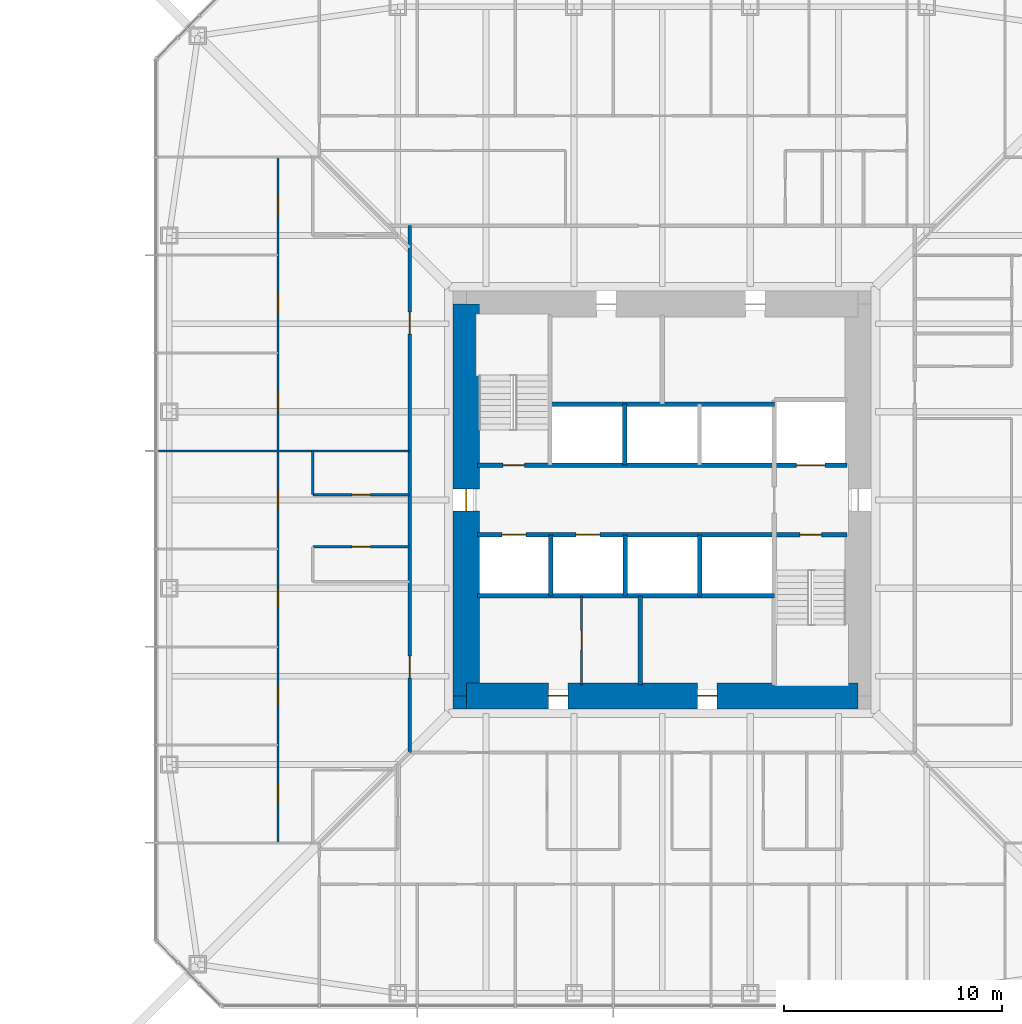
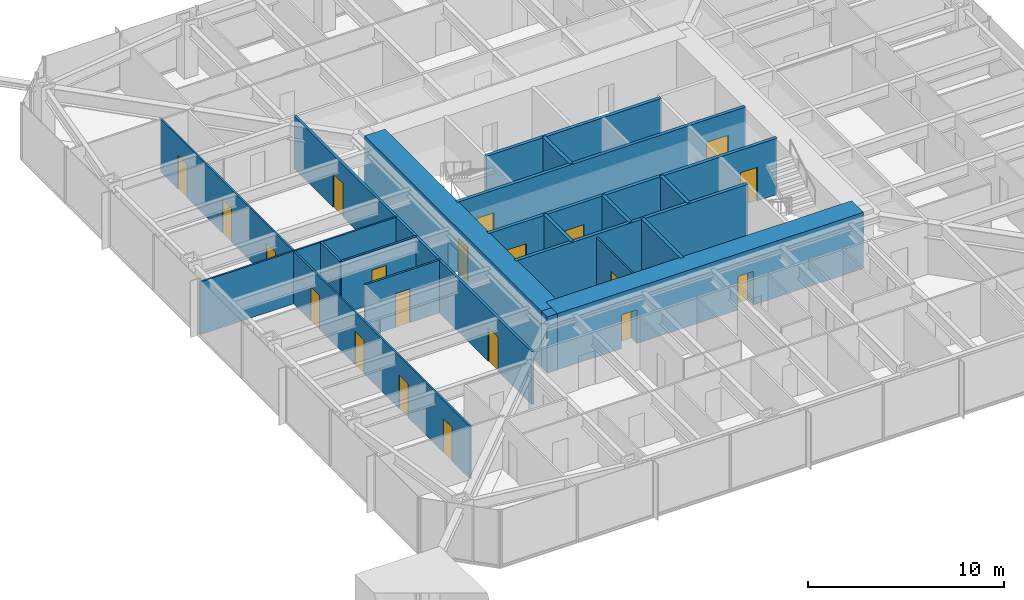
# One storey, part 15 of 26: 20 doors, 19 walls, 20 openings.
"""IFC4 building model written with IfcOpenShell, lengths in metres."""

from ifc_helpers import new_model, si_unit, direction, frame, frame_2d, origin, place, context, subcontext, project, spatial, rectangle, extrude, material, layer, layer_set, type_object, element, fill, save


model = new_model("IFC4")

# Units and contexts
model_context = context("Model", 3, precision=1e-05, world=origin(), true_north=direction((0.0, 1.0)))
body_context = subcontext(model_context, "Body", "Model", "MODEL_VIEW")
ifc_project = project(units=[si_unit("LENGTHUNIT", "METRE"), si_unit("AREAUNIT", "SQUARE_METRE"), si_unit("VOLUMEUNIT", "CUBIC_METRE"), si_unit("PLANEANGLEUNIT", "RADIAN"), si_unit("MASSUNIT", "GRAM", prefix="KILO")], contexts=[model_context])

# Site, building, storey
site_placement = place(None, origin())
site = spatial("IfcSite", under=ifc_project, at=site_placement, CompositionType="ELEMENT")
building_placement = place(site_placement, origin())
building = spatial("IfcBuilding", under=site, at=building_placement, Name="Iwan Alto Co-Living Towers", CompositionType="ELEMENT")
storey_placement = place(building_placement, frame((0.0, 0.0, 60.5)))
storey = spatial("IfcBuildingStorey", under=building, at=storey_placement, Name="L16", CompositionType="ELEMENT", Elevation=60.5)

# Wall, openings, doors
ifc_material_1 = material(Name="Gypsum board")
ifc_layer_1 = layer(ifc_material_1, 0.02490234375, Name="Board", Category="Finish")
ifc_material_2 = material(Name="Steel ASTM A1003 ST33H cold-formed studs", Category="steel")
ifc_layer_2 = layer(ifc_material_2, 0.10009765625, Name="Studs", Category="Framing")
ifc_layer_3 = layer(ifc_material_1, 0.02490234375, Name="Board", Category="Finish")
ifc_layer_set_1 = layer_set([ifc_layer_1, ifc_layer_2, ifc_layer_3], Name="CORRIDOR WALL 150")
wall_type_1 = type_object("IfcWallType", Name="CORRIDOR WALL 150", PredefinedType="PARTITIONING", material=ifc_layer_set_1)
wall_1_placement = place(storey_placement, frame((-11.60009765625, -11.60009765625, 0.0), z_axis=(0.0, 0.0, 1.0), x_axis=(0.0, 1.0, 0.0)))
wall_1 = element("IfcWall", 1, at=wall_1_placement, inside=storey, type_object=wall_type_1, Name="Partition L16", PredefinedType="PARTITIONING", context=body_context, shape_type="SweptSolid", body=[
    extrude(rectangle(XDim=24.2001953125, YDim=0.14990234375, at=frame_2d((12.10009765625, 0.0))), origin(), (0.0, 0.0, 1.0), 3.27001953125),
])
opening_1_placement = place(wall_1_placement, frame((19.22509765625, 0.0, 0.0)))
opening_1 = element("IfcOpeningElement", 2, at=opening_1_placement, cuts=wall_1, Name="Opening D3", PredefinedType="OPENING", context=body_context, shape_type="SweptSolid", body=[
    extrude(rectangle(XDim=1.0, YDim=2.10009765625, at=frame_2d((0.5, 1.050048828125))), frame((0.0, 0.0849609375, 0.0), z_axis=(0.0, -1.0, 0.0), x_axis=(1.0, 0.0, 0.0)), (0.0, 0.0, 1.0), 0.169921875),
])
opening_2_placement = place(wall_1_placement, frame((3.425048828125, 0.0, 0.0)))
opening_2 = element("IfcOpeningElement", 3, at=opening_2_placement, cuts=wall_1, Name="Opening D3", PredefinedType="OPENING", context=body_context, shape_type="SweptSolid", body=[
    extrude(rectangle(XDim=1.0, YDim=2.10009765625, at=frame_2d((0.5, 1.050048828125))), frame((0.0, 0.0849609375, 0.0), z_axis=(0.0, -1.0, 0.0), x_axis=(1.0, 0.0, 0.0)), (0.0, 0.0, 1.0), 0.169921875),
])
ifc_material_3 = material(Name="Steel frame with timber leaf", Category="steel")
door_type_1 = type_object("IfcDoorType", Name="FLAT ENTRANCE DOOR FD30S 1000X2100", OperationType="SINGLE_SWING_LEFT", PredefinedType="DOOR", material=ifc_material_3)
door_1_placement = place(opening_1_placement, origin())
door_1 = element("IfcDoor", 4, at=door_1_placement, inside=storey, type_object=door_type_1, Name="Cluster lounge and shared kitchen door L16", OperationType="SINGLE_SWING_RIGHT", OverallHeight=2.10009765625, OverallWidth=1.0, PredefinedType="DOOR", context=body_context, shape_type="SweptSolid", body=[
    extrude(rectangle(XDim=1.0, YDim=2.10009765625, at=frame_2d((0.5, 1.050048828125))), frame((0.0, 0.02490234375, 0.0), z_axis=(0.0, -1.0, 0.0), x_axis=(1.0, 0.0, 0.0)), (0.0, 0.0, 1.0), 0.050048828125),
])
fill(opening_1, door_1)
door_2_placement = place(opening_2_placement, origin())
door_2 = element("IfcDoor", 5, at=door_2_placement, inside=storey, type_object=door_type_1, Name="Cluster lounge and shared kitchen door L16", OperationType="SINGLE_SWING_RIGHT", OverallHeight=2.10009765625, OverallWidth=1.0, PredefinedType="DOOR", context=body_context, shape_type="SweptSolid", body=[
    extrude(rectangle(XDim=1.0, YDim=2.10009765625, at=frame_2d((0.5, 1.050048828125))), frame((0.0, 0.02490234375, 0.0), z_axis=(0.0, -1.0, 0.0), x_axis=(1.0, 0.0, 0.0)), (0.0, 0.0, 1.0), 0.050048828125),
])
fill(opening_2, door_2)

# Wall
ifc_layer_4 = layer(ifc_material_1, 0.012451171875, Name="Board", Category="Finish")
ifc_layer_5 = layer(ifc_material_2, 0.074951171875, Name="Studs", Category="Framing")
ifc_layer_6 = layer(ifc_material_1, 0.012451171875, Name="Board", Category="Finish")
ifc_layer_set_2 = layer_set([ifc_layer_4, ifc_layer_5, ifc_layer_6], Name="PARTITION 100")
wall_type_2 = type_object("IfcWallType", Name="PARTITION 100", PredefinedType="PARTITIONING", material=ifc_layer_set_2)
wall_2_placement = place(storey_placement, frame((-23.18994140625, 2.25, 0.0), z_axis=(0.0, 0.0, 1.0), x_axis=(1.0, 0.0, 0.0)))
element("IfcWall", 6, at=wall_2_placement, inside=storey, type_object=wall_type_2, Name="Partition L16", PredefinedType="PARTITIONING", context=body_context, shape_type="SweptSolid", body=[
    extrude(rectangle(XDim=11.58984375, YDim=0.10009765625, at=frame_2d((5.794921875, 0.0))), origin(), (0.0, 0.0, 1.0), 3.27001953125),
])

# Wall, opening, door
wall_3_placement = place(storey_placement, frame((-3.699951171875, -8.489990234375, 0.0), z_axis=(0.0, 0.0, 1.0), x_axis=(0.0, 1.0, 0.0)))
wall_3 = element("IfcWall", 7, at=wall_3_placement, inside=storey, type_object=wall_type_2, Name="Partition L16", PredefinedType="PARTITIONING", context=body_context, shape_type="SweptSolid", body=[
    extrude(rectangle(XDim=4.090087890625, YDim=0.10009765625, at=frame_2d((2.044921875, 0.0))), origin(), (0.0, 0.0, 1.0), 3.300048828125),
])
opening_3_placement = place(wall_3_placement, frame((1.594970703125, 0.0, 0.0)))
opening_3 = element("IfcOpeningElement", 8, at=opening_3_placement, cuts=wall_3, Name="Opening D16", PredefinedType="OPENING", context=body_context, shape_type="SweptSolid", body=[
    extrude(rectangle(XDim=0.89990234375, YDim=2.10009765625, at=frame_2d((0.449951171875, 1.050048828125))), frame((0.0, 0.06005859375, 0.0), z_axis=(0.0, -1.0, 0.0), x_axis=(1.0, 0.0, 0.0)), (0.0, 0.0, 1.0), 0.1201171875),
])
ifc_material_4 = material(Name="Timber leaf in steel frame", Category="steel")
door_type_2 = type_object("IfcDoorType", Name="CUPBOARD SLIDING DOOR 900X2100", OperationType="SLIDING_TO_LEFT", PredefinedType="DOOR", material=ifc_material_4)
door_3_placement = place(opening_3_placement, origin())
door_3 = element("IfcDoor", 9, at=door_3_placement, inside=storey, type_object=door_type_2, Name="Cleaner's store door L16", OperationType="SLIDING_TO_LEFT", OverallHeight=2.10009765625, OverallWidth=0.89990234375, PredefinedType="DOOR", context=body_context, shape_type="SweptSolid", body=[
    extrude(rectangle(XDim=0.89990234375, YDim=2.10009765625, at=frame_2d((0.449951171875, 1.050048828125))), frame((0.0, 0.02490234375, 0.0), z_axis=(0.0, -1.0, 0.0), x_axis=(1.0, 0.0, 0.0)), (0.0, 0.0, 1.0), 0.050048828125),
])
fill(opening_3, door_3)

# Wall, openings, doors
wall_4_placement = place(storey_placement, frame((-17.64990234375, -15.75, 0.0), z_axis=(0.0, 0.0, 1.0), x_axis=(0.0, 1.0, 0.0)))
wall_4 = element("IfcWall", 10, at=wall_4_placement, inside=storey, type_object=wall_type_2, Name="Partition L16", PredefinedType="PARTITIONING", context=body_context, shape_type="SweptSolid", body=[
    extrude(rectangle(XDim=31.5, YDim=0.10009765625, at=frame_2d((15.75, 0.0))), origin(), (0.0, 0.0, 1.0), 3.27001953125),
])
opening_4_placement = place(wall_4_placement, frame((28.800048828125, 0.0, 0.0)))
opening_4 = element("IfcOpeningElement", 11, at=opening_4_placement, cuts=wall_4, Name="Opening D1", PredefinedType="OPENING", context=body_context, shape_type="SweptSolid", body=[
    extrude(rectangle(XDim=0.89990234375, YDim=2.10009765625, at=frame_2d((0.449951171875, 1.050048828125))), frame((0.0, 0.06005859375, 0.0), z_axis=(0.0, -1.0, 0.0), x_axis=(1.0, 0.0, 0.0)), (0.0, 0.0, 1.0), 0.1201171875),
])
opening_5_placement = place(wall_4_placement, frame((24.300048828125, 0.0, 0.0)))
opening_5 = element("IfcOpeningElement", 12, at=opening_5_placement, cuts=wall_4, Name="Opening D1", PredefinedType="OPENING", context=body_context, shape_type="SweptSolid", body=[
    extrude(rectangle(XDim=0.89990234375, YDim=2.10009765625, at=frame_2d((0.449951171875, 1.050048828125))), frame((0.0, 0.06005859375, 0.0), z_axis=(0.0, -1.0, 0.0), x_axis=(1.0, 0.0, 0.0)), (0.0, 0.0, 1.0), 0.1201171875),
])
opening_6_placement = place(wall_4_placement, frame((19.800048828125, 0.0, 0.0)))
opening_6 = element("IfcOpeningElement", 13, at=opening_6_placement, cuts=wall_4, Name="Opening D1", PredefinedType="OPENING", context=body_context, shape_type="SweptSolid", body=[
    extrude(rectangle(XDim=0.89990234375, YDim=2.10009765625, at=frame_2d((0.449951171875, 1.050048828125))), frame((0.0, 0.06005859375, 0.0), z_axis=(0.0, -1.0, 0.0), x_axis=(1.0, 0.0, 0.0)), (0.0, 0.0, 1.0), 0.1201171875),
])
opening_7_placement = place(wall_4_placement, frame((15.300048828125, 0.0, 0.0)))
opening_7 = element("IfcOpeningElement", 14, at=opening_7_placement, cuts=wall_4, Name="Opening D1", PredefinedType="OPENING", context=body_context, shape_type="SweptSolid", body=[
    extrude(rectangle(XDim=0.89990234375, YDim=2.10009765625, at=frame_2d((0.449951171875, 1.050048828125))), frame((0.0, 0.06005859375, 0.0), z_axis=(0.0, -1.0, 0.0), x_axis=(1.0, 0.0, 0.0)), (0.0, 0.0, 1.0), 0.1201171875),
])
opening_8_placement = place(wall_4_placement, frame((10.800048828125, 0.0, 0.0)))
opening_8 = element("IfcOpeningElement", 15, at=opening_8_placement, cuts=wall_4, Name="Opening D1", PredefinedType="OPENING", context=body_context, shape_type="SweptSolid", body=[
    extrude(rectangle(XDim=0.89990234375, YDim=2.10009765625, at=frame_2d((0.449951171875, 1.050048828125))), frame((0.0, 0.06005859375, 0.0), z_axis=(0.0, -1.0, 0.0), x_axis=(1.0, 0.0, 0.0)), (0.0, 0.0, 1.0), 0.1201171875),
])
opening_9_placement = place(wall_4_placement, frame((6.300048828125, 0.0, 0.0)))
opening_9 = element("IfcOpeningElement", 16, at=opening_9_placement, cuts=wall_4, Name="Opening D1", PredefinedType="OPENING", context=body_context, shape_type="SweptSolid", body=[
    extrude(rectangle(XDim=0.89990234375, YDim=2.10009765625, at=frame_2d((0.449951171875, 1.050048828125))), frame((0.0, 0.06005859375, 0.0), z_axis=(0.0, -1.0, 0.0), x_axis=(1.0, 0.0, 0.0)), (0.0, 0.0, 1.0), 0.1201171875),
])
opening_10_placement = place(wall_4_placement, frame((1.800048828125, 0.0, 0.0)))
opening_10 = element("IfcOpeningElement", 17, at=opening_10_placement, cuts=wall_4, Name="Opening D1", PredefinedType="OPENING", context=body_context, shape_type="SweptSolid", body=[
    extrude(rectangle(XDim=0.89990234375, YDim=2.10009765625, at=frame_2d((0.449951171875, 1.050048828125))), frame((0.0, 0.06005859375, 0.0), z_axis=(0.0, -1.0, 0.0), x_axis=(1.0, 0.0, 0.0)), (0.0, 0.0, 1.0), 0.1201171875),
])
ifc_material_5 = material(Name="Timber leaf in steel frame", Category="steel")
door_type_3 = type_object("IfcDoorType", Name="BEDROOM DOOR 900X2100", OperationType="SINGLE_SWING_LEFT", PredefinedType="DOOR", material=ifc_material_5)
door_4_placement = place(opening_4_placement, frame((0.89990234375, 0.0, 0.0), z_axis=(0.0, 0.0, 1.0), x_axis=(-1.0, 0.0, 0.0)))
door_4 = element("IfcDoor", 18, at=door_4_placement, inside=storey, type_object=door_type_3, Name="Study bedroom door L16", OperationType="SINGLE_SWING_LEFT", OverallHeight=2.10009765625, OverallWidth=0.89990234375, PredefinedType="DOOR", context=body_context, shape_type="SweptSolid", body=[
    extrude(rectangle(XDim=0.89990234375, YDim=2.10009765625, at=frame_2d((0.449951171875, 1.050048828125))), frame((0.0, 0.02490234375, 0.0), z_axis=(0.0, -1.0, 0.0), x_axis=(1.0, 0.0, 0.0)), (0.0, 0.0, 1.0), 0.050048828125),
])
fill(opening_4, door_4)
door_5_placement = place(opening_5_placement, frame((0.89990234375, 0.0, 0.0), z_axis=(0.0, 0.0, 1.0), x_axis=(-1.0, 0.0, 0.0)))
door_5 = element("IfcDoor", 19, at=door_5_placement, inside=storey, type_object=door_type_3, Name="Study bedroom door L16", OperationType="SINGLE_SWING_RIGHT", OverallHeight=2.10009765625, OverallWidth=0.89990234375, PredefinedType="DOOR", context=body_context, shape_type="SweptSolid", body=[
    extrude(rectangle(XDim=0.89990234375, YDim=2.10009765625, at=frame_2d((0.449951171875, 1.050048828125))), frame((0.0, 0.02490234375, 0.0), z_axis=(0.0, -1.0, 0.0), x_axis=(1.0, 0.0, 0.0)), (0.0, 0.0, 1.0), 0.050048828125),
])
fill(opening_5, door_5)
door_6_placement = place(opening_6_placement, frame((0.89990234375, 0.0, 0.0), z_axis=(0.0, 0.0, 1.0), x_axis=(-1.0, 0.0, 0.0)))
door_6 = element("IfcDoor", 20, at=door_6_placement, inside=storey, type_object=door_type_3, Name="Study bedroom door L16", OperationType="SINGLE_SWING_RIGHT", OverallHeight=2.10009765625, OverallWidth=0.89990234375, PredefinedType="DOOR", context=body_context, shape_type="SweptSolid", body=[
    extrude(rectangle(XDim=0.89990234375, YDim=2.10009765625, at=frame_2d((0.449951171875, 1.050048828125))), frame((0.0, 0.02490234375, 0.0), z_axis=(0.0, -1.0, 0.0), x_axis=(1.0, 0.0, 0.0)), (0.0, 0.0, 1.0), 0.050048828125),
])
fill(opening_6, door_6)
door_7_placement = place(opening_7_placement, frame((0.89990234375, 0.0, 0.0), z_axis=(0.0, 0.0, 1.0), x_axis=(-1.0, 0.0, 0.0)))
door_7 = element("IfcDoor", 21, at=door_7_placement, inside=storey, type_object=door_type_3, Name="Study bedroom door L16", OperationType="SINGLE_SWING_LEFT", OverallHeight=2.10009765625, OverallWidth=0.89990234375, PredefinedType="DOOR", context=body_context, shape_type="SweptSolid", body=[
    extrude(rectangle(XDim=0.89990234375, YDim=2.10009765625, at=frame_2d((0.449951171875, 1.050048828125))), frame((0.0, 0.02490234375, 0.0), z_axis=(0.0, -1.0, 0.0), x_axis=(1.0, 0.0, 0.0)), (0.0, 0.0, 1.0), 0.050048828125),
])
fill(opening_7, door_7)
door_8_placement = place(opening_8_placement, frame((0.89990234375, 0.0, 0.0), z_axis=(0.0, 0.0, 1.0), x_axis=(-1.0, 0.0, 0.0)))
door_8 = element("IfcDoor", 22, at=door_8_placement, inside=storey, type_object=door_type_3, Name="Study bedroom door L16", OperationType="SINGLE_SWING_LEFT", OverallHeight=2.10009765625, OverallWidth=0.89990234375, PredefinedType="DOOR", context=body_context, shape_type="SweptSolid", body=[
    extrude(rectangle(XDim=0.89990234375, YDim=2.10009765625, at=frame_2d((0.449951171875, 1.050048828125))), frame((0.0, 0.02490234375, 0.0), z_axis=(0.0, -1.0, 0.0), x_axis=(1.0, 0.0, 0.0)), (0.0, 0.0, 1.0), 0.050048828125),
])
fill(opening_8, door_8)
door_9_placement = place(opening_9_placement, frame((0.89990234375, 0.0, 0.0), z_axis=(0.0, 0.0, 1.0), x_axis=(-1.0, 0.0, 0.0)))
door_9 = element("IfcDoor", 23, at=door_9_placement, inside=storey, type_object=door_type_3, Name="Study bedroom door L16", OperationType="SINGLE_SWING_RIGHT", OverallHeight=2.10009765625, OverallWidth=0.89990234375, PredefinedType="DOOR", context=body_context, shape_type="SweptSolid", body=[
    extrude(rectangle(XDim=0.89990234375, YDim=2.10009765625, at=frame_2d((0.449951171875, 1.050048828125))), frame((0.0, 0.02490234375, 0.0), z_axis=(0.0, -1.0, 0.0), x_axis=(1.0, 0.0, 0.0)), (0.0, 0.0, 1.0), 0.050048828125),
])
fill(opening_9, door_9)
door_10_placement = place(opening_10_placement, frame((0.89990234375, 0.0, 0.0), z_axis=(0.0, 0.0, 1.0), x_axis=(-1.0, 0.0, 0.0)))
door_10 = element("IfcDoor", 24, at=door_10_placement, inside=storey, type_object=door_type_3, Name="Study bedroom door L16", OperationType="SINGLE_SWING_RIGHT", OverallHeight=2.10009765625, OverallWidth=0.89990234375, PredefinedType="DOOR", context=body_context, shape_type="SweptSolid", body=[
    extrude(rectangle(XDim=0.89990234375, YDim=2.10009765625, at=frame_2d((0.449951171875, 1.050048828125))), frame((0.0, 0.02490234375, 0.0), z_axis=(0.0, -1.0, 0.0), x_axis=(1.0, 0.0, 0.0)), (0.0, 0.0, 1.0), 0.050048828125),
])
fill(opening_10, door_10)

# Wall
ifc_material_6 = material(Name="Concrete f'c 70 MPa", Category="concrete")
ifc_layer_7 = layer(ifc_material_6, 0.199951171875)
ifc_layer_set_3 = layer_set([ifc_layer_7], Name="SHAFT WALL 200")
wall_type_3 = type_object("IfcWallType", Name="SHAFT WALL 200", PredefinedType="SOLIDWALL", material=ifc_layer_set_3)
wall_5_placement = place(storey_placement, frame((-8.489990234375, -4.39990234375, 0.0), z_axis=(0.0, 0.0, 1.0), x_axis=(1.0, 0.0, 0.0)))
element("IfcWall", 25, at=wall_5_placement, inside=storey, type_object=wall_type_3, Name="Shaft wall L16", PredefinedType="SOLIDWALL", context=body_context, shape_type="SweptSolid", body=[
    extrude(rectangle(XDim=13.639892578125, YDim=0.199951171875, at=frame_2d((6.81982421875, 0.0))), origin(), (0.0, 0.0, 1.0), 3.5),
])

# Wall, openings, doors
wall_6_placement = place(storey_placement, frame((-8.489990234375, -1.60009765625, 0.0), z_axis=(0.0, 0.0, 1.0), x_axis=(1.0, 0.0, 0.0)))
wall_6 = element("IfcWall", 26, at=wall_6_placement, inside=storey, type_object=wall_type_3, Name="Shaft wall L16", PredefinedType="SOLIDWALL", context=body_context, shape_type="SweptSolid", body=[
    extrude(rectangle(XDim=16.97998046875, YDim=0.199951171875, at=frame_2d((8.489990234375, 0.0))), origin(), (0.0, 0.0, 1.0), 3.5),
])
opening_11_placement = place(wall_6_placement, frame((14.81005859375, 0.0, 0.0)))
opening_11 = element("IfcOpeningElement", 27, at=opening_11_placement, cuts=wall_6, Name="Opening D5", PredefinedType="OPENING", context=body_context, shape_type="SweptSolid", body=[
    extrude(rectangle(XDim=1.0, YDim=2.10009765625, at=frame_2d((0.5, 1.050048828125))), frame((0.0, 0.10986328125, 0.0), z_axis=(0.0, -1.0, 0.0), x_axis=(1.0, 0.0, 0.0)), (0.0, 0.0, 1.0), 0.219970703125),
])
opening_12_placement = place(wall_6_placement, frame((1.133056640625, 0.0, 0.0)))
opening_12 = element("IfcOpeningElement", 28, at=opening_12_placement, cuts=wall_6, Name="Opening LD", PredefinedType="OPENING", context=body_context, shape_type="SweptSolid", body=[
    extrude(rectangle(XDim=1.10009765625, YDim=2.10009765625, at=frame_2d((0.550048828125, 1.050048828125))), frame((0.0, 0.10986328125, 0.0), z_axis=(0.0, -1.0, 0.0), x_axis=(1.0, 0.0, 0.0)), (0.0, 0.0, 1.0), 0.219970703125),
])
opening_13_placement = place(wall_6_placement, frame((4.528076171875, 0.0, 0.0)))
opening_13 = element("IfcOpeningElement", 29, at=opening_13_placement, cuts=wall_6, Name="Opening LD", PredefinedType="OPENING", context=body_context, shape_type="SweptSolid", body=[
    extrude(rectangle(XDim=1.10009765625, YDim=2.10009765625, at=frame_2d((0.550048828125, 1.050048828125))), frame((0.0, 0.10986328125, 0.0), z_axis=(0.0, -1.0, 0.0), x_axis=(1.0, 0.0, 0.0)), (0.0, 0.0, 1.0), 0.219970703125),
])
ifc_material_7 = material(Name="Steel frame with timber leaf", Category="steel")
door_type_4 = type_object("IfcDoorType", Name="LIFT LANDING DOOR 1100X2100", OperationType="DOUBLE_DOOR_SLIDING", PredefinedType="DOOR", material=ifc_material_7)
door_11_placement = place(opening_12_placement, origin())
door_11 = element("IfcDoor", 30, at=door_11_placement, inside=storey, type_object=door_type_4, Name="Lift P1-1 landing door L16", OperationType="DOUBLE_DOOR_SLIDING", OverallHeight=2.10009765625, OverallWidth=1.10009765625, PredefinedType="DOOR", context=body_context, shape_type="SweptSolid", body=[
    extrude(rectangle(XDim=1.10009765625, YDim=2.10009765625, at=frame_2d((0.550048828125, 1.050048828125))), frame((0.0, 0.02490234375, 0.0), z_axis=(0.0, -1.0, 0.0), x_axis=(1.0, 0.0, 0.0)), (0.0, 0.0, 1.0), 0.050048828125),
])
fill(opening_12, door_11)
door_12_placement = place(opening_13_placement, origin())
door_12 = element("IfcDoor", 31, at=door_12_placement, inside=storey, type_object=door_type_4, Name="Lift P1-2 landing door L16", OperationType="DOUBLE_DOOR_SLIDING", OverallHeight=2.10009765625, OverallWidth=1.10009765625, PredefinedType="DOOR", context=body_context, shape_type="SweptSolid", body=[
    extrude(rectangle(XDim=1.10009765625, YDim=2.10009765625, at=frame_2d((0.550048828125, 1.050048828125))), frame((0.0, 0.02490234375, 0.0), z_axis=(0.0, -1.0, 0.0), x_axis=(1.0, 0.0, 0.0)), (0.0, 0.0, 1.0), 0.050048828125),
])
fill(opening_13, door_12)
ifc_material_8 = material(Name="Steel frame with timber leaf", Category="steel")
door_type_5 = type_object("IfcDoorType", Name="STAIR DOOR FD120S 1000X2100", OperationType="SINGLE_SWING_LEFT", PredefinedType="DOOR", material=ifc_material_8)
door_13_placement = place(opening_11_placement, frame((1.0, 0.0, 0.0), z_axis=(0.0, 0.0, 1.0), x_axis=(-1.0, 0.0, 0.0)))
door_13 = element("IfcDoor", 32, at=door_13_placement, inside=storey, type_object=door_type_5, Name="Stair S2 door L16", OperationType="SINGLE_SWING_RIGHT", OverallHeight=2.10009765625, OverallWidth=1.0, PredefinedType="DOOR", context=body_context, shape_type="SweptSolid", body=[
    extrude(rectangle(XDim=1.0, YDim=2.10009765625, at=frame_2d((0.5, 1.050048828125))), frame((0.0, 0.02490234375, 0.0), z_axis=(0.0, -1.0, 0.0), x_axis=(1.0, 0.0, 0.0)), (0.0, 0.0, 1.0), 0.050048828125),
])
fill(opening_11, door_13)

wall_7_placement = place(storey_placement, frame((-8.489990234375, 1.60009765625, 0.0), z_axis=(0.0, 0.0, 1.0), x_axis=(1.0, 0.0, 0.0)))
wall_7 = element("IfcWall", 33, at=wall_7_placement, inside=storey, type_object=wall_type_3, Name="Shaft wall L16", PredefinedType="SOLIDWALL", context=body_context, shape_type="SweptSolid", body=[
    extrude(rectangle(XDim=16.97998046875, YDim=0.199951171875, at=frame_2d((8.489990234375, 0.0))), origin(), (0.0, 0.0, 1.0), 3.5),
])
opening_14_placement = place(wall_7_placement, frame((1.169921875, 0.0, 0.0)))
opening_14 = element("IfcOpeningElement", 34, at=opening_14_placement, cuts=wall_7, Name="Opening D5", PredefinedType="OPENING", context=body_context, shape_type="SweptSolid", body=[
    extrude(rectangle(XDim=1.0, YDim=2.10009765625, at=frame_2d((0.5, 1.050048828125))), frame((0.0, 0.10986328125, 0.0), z_axis=(0.0, -1.0, 0.0), x_axis=(1.0, 0.0, 0.0)), (0.0, 0.0, 1.0), 0.219970703125),
])
opening_15_placement = place(wall_7_placement, frame((14.659912109375, 0.0, 0.0)))
opening_15 = element("IfcOpeningElement", 35, at=opening_15_placement, cuts=wall_7, Name="Opening LD2", PredefinedType="OPENING", context=body_context, shape_type="SweptSolid", body=[
    extrude(rectangle(XDim=1.300048828125, YDim=2.10009765625, at=frame_2d((0.64990234375, 1.050048828125))), frame((0.0, 0.10986328125, 0.0), z_axis=(0.0, -1.0, 0.0), x_axis=(1.0, 0.0, 0.0)), (0.0, 0.0, 1.0), 0.219970703125),
])
ifc_material_9 = material(Name="Steel frame with timber leaf", Category="steel")
door_type_6 = type_object("IfcDoorType", Name="LIFT LANDING DOOR 1300X2100", OperationType="SLIDING_TO_LEFT", PredefinedType="DOOR", material=ifc_material_9)
door_14_placement = place(opening_15_placement, origin())
door_14 = element("IfcDoor", 36, at=door_14_placement, inside=storey, type_object=door_type_6, Name="Lift FL1 landing door L16", OperationType="SLIDING_TO_LEFT", OverallHeight=2.10009765625, OverallWidth=1.300048828125, PredefinedType="DOOR", context=body_context, shape_type="SweptSolid", body=[
    extrude(rectangle(XDim=1.300048828125, YDim=2.10009765625, at=frame_2d((0.64990234375, 1.050048828125))), frame((0.0, 0.02490234375, 0.0), z_axis=(0.0, -1.0, 0.0), x_axis=(1.0, 0.0, 0.0)), (0.0, 0.0, 1.0), 0.050048828125),
])
fill(opening_15, door_14)
door_15_placement = place(opening_14_placement, origin())
door_15 = element("IfcDoor", 37, at=door_15_placement, inside=storey, type_object=door_type_5, Name="Stair S1 door L16", OperationType="SINGLE_SWING_RIGHT", OverallHeight=2.10009765625, OverallWidth=1.0, PredefinedType="DOOR", context=body_context, shape_type="SweptSolid", body=[
    extrude(rectangle(XDim=1.0, YDim=2.10009765625, at=frame_2d((0.5, 1.050048828125))), frame((0.0, 0.02490234375, 0.0), z_axis=(0.0, -1.0, 0.0), x_axis=(1.0, 0.0, 0.0)), (0.0, 0.0, 1.0), 0.050048828125),
])
fill(opening_14, door_15)

# Walls
wall_8_placement = place(storey_placement, frame((-5.14990234375, 4.39990234375, 0.0), z_axis=(0.0, 0.0, 1.0), x_axis=(1.0, 0.0, 0.0)))
element("IfcWall", 38, at=wall_8_placement, inside=storey, type_object=wall_type_3, Name="Shaft wall L16", PredefinedType="SOLIDWALL", context=body_context, shape_type="SweptSolid", body=[
    extrude(rectangle(XDim=10.2998046875, YDim=0.199951171875, at=frame_2d((5.14990234375, 0.0))), origin(), (0.0, 0.0, 1.0), 3.5),
])
wall_9_placement = place(storey_placement, frame((1.72509765625, -4.39990234375, 0.0), z_axis=(0.0, 0.0, 1.0), x_axis=(0.0, 1.0, 0.0)))
element("IfcWall", 39, at=wall_9_placement, inside=storey, type_object=wall_type_3, Name="Shaft wall L16", PredefinedType="SOLIDWALL", context=body_context, shape_type="SweptSolid", body=[
    extrude(rectangle(XDim=2.7998046875, YDim=0.199951171875, at=frame_2d((1.39990234375, 0.0))), origin(), (0.0, 0.0, 1.0), 3.5),
])
wall_10_placement = place(storey_placement, frame((-1.0, -8.489990234375, 0.0), z_axis=(0.0, 0.0, 1.0), x_axis=(0.0, 1.0, 0.0)))
element("IfcWall", 40, at=wall_10_placement, inside=storey, type_object=wall_type_3, Name="Shaft wall L16", PredefinedType="SOLIDWALL", context=body_context, shape_type="SweptSolid", body=[
    extrude(rectangle(XDim=4.090087890625, YDim=0.199951171875, at=frame_2d((2.044921875, 0.0))), origin(), (0.0, 0.0, 1.0), 3.5),
])
for number, where, z_axis, x_axis, name in (
    (41, (-1.699951171875, -4.39990234375, 0.0), (0.0, 0.0, 1.0), (0.0, 1.0, 0.0), "Shaft wall L16"),
    (42, (-1.717041015625, 1.60009765625, 0.0), (0.0, 0.0, 1.0), (0.0, 1.0, 0.0), "Shaft wall L16"),
    (43, (-5.125, -4.39990234375, 0.0), (0.0, 0.0, 1.0), (0.0, 1.0, 0.0), "Shaft wall L16"),
):
    element("IfcWall", number, at=place(storey_placement, frame(where, z_axis=z_axis, x_axis=x_axis)), inside=storey, type_object=wall_type_3, Name=name, PredefinedType="SOLIDWALL", context=body_context, shape_type="SweptSolid", body=[
        extrude(rectangle(XDim=2.7998046875, YDim=0.199951171875, at=frame_2d((1.39990234375, 0.0))), origin(), (0.0, 0.0, 1.0), 3.5),
    ])
ifc_material_10 = material(Name="Concrete f'c 70 MPa", Category="concrete")
ifc_layer_8 = layer(ifc_material_10, 0.60009765625)
ifc_layer_set_4 = layer_set([ifc_layer_8], Name="T1 CORE CORNER FILL 600")
wall_type_4 = type_object("IfcWallType", Name="T1 CORE CORNER FILL 600", PredefinedType="SOLIDWALL", material=ifc_layer_set_4)
wall_11_placement = place(storey_placement, frame((-9.60009765625, -9.300048828125, 0.0), z_axis=(0.0, 0.0, 1.0), x_axis=(1.0, 0.0, 0.0)))
element("IfcWall", 44, at=wall_11_placement, inside=storey, type_object=wall_type_4, Name="T1 core corner SW L16", PredefinedType="SOLIDWALL", context=body_context, shape_type="SweptSolid", body=[
    extrude(rectangle(XDim=0.60009765625, YDim=0.60009765625, at=frame_2d((0.300048828125, 0.0))), origin(), (0.0, 0.0, 1.0), 3.5),
])

# Wall, openings, doors
ifc_material_11 = material(Name="Concrete f'c 70 MPa", Category="concrete")
ifc_layer_9 = layer(ifc_material_11, 1.199951171875)
ifc_layer_set_5 = layer_set([ifc_layer_9], Name="T1 CORE WALL 1200")
wall_type_5 = type_object("IfcWallType", Name="T1 CORE WALL 1200", PredefinedType="SHEAR", material=ifc_layer_set_5)
wall_12_placement = place(storey_placement, frame((-9.0, -9.0, 0.0), z_axis=(0.0, 0.0, 1.0), x_axis=(1.0, 0.0, 0.0)))
wall_12 = element("IfcWall", 45, at=wall_12_placement, inside=storey, type_object=wall_type_5, Name="T1 core wall S L16", PredefinedType="SHEAR", context=body_context, shape_type="SweptSolid", body=[
    extrude(rectangle(XDim=18.0, YDim=1.199951171875, at=frame_2d((9.0, 0.0))), origin(), (0.0, 0.0, 1.0), 3.5),
])
opening_16_placement = place(wall_12_placement, frame((3.77490234375, 0.0, 0.0)))
opening_16 = element("IfcOpeningElement", 46, at=opening_16_placement, cuts=wall_12, Name="Opening D8", PredefinedType="OPENING", context=body_context, shape_type="SweptSolid", body=[
    extrude(rectangle(XDim=0.89990234375, YDim=2.10009765625, at=frame_2d((0.449951171875, 1.050048828125))), frame((0.0, 0.60986328125, 0.0), z_axis=(0.0, -1.0, 0.0), x_axis=(1.0, 0.0, 0.0)), (0.0, 0.0, 1.0), 1.219970703125),
])
opening_17_placement = place(wall_12_placement, frame((10.625, 0.0, 0.0)))
opening_17 = element("IfcOpeningElement", 47, at=opening_17_placement, cuts=wall_12, Name="Opening D8", PredefinedType="OPENING", context=body_context, shape_type="SweptSolid", body=[
    extrude(rectangle(XDim=0.89990234375, YDim=2.10009765625, at=frame_2d((0.449951171875, 1.050048828125))), frame((0.0, 0.60986328125, 0.0), z_axis=(0.0, -1.0, 0.0), x_axis=(1.0, 0.0, 0.0)), (0.0, 0.0, 1.0), 1.219970703125),
])
ifc_material_12 = material(Name="Steel frame with timber leaf", Category="steel")
door_type_7 = type_object("IfcDoorType", Name="RISER DOOR FD120 900X2100", OperationType="SINGLE_SWING_LEFT", PredefinedType="DOOR", material=ifc_material_12)
door_16_placement = place(opening_16_placement, origin())
door_16 = element("IfcDoor", 48, at=door_16_placement, inside=storey, type_object=door_type_7, Name="Refuse room core door L16", OperationType="SINGLE_SWING_RIGHT", OverallHeight=2.10009765625, OverallWidth=0.89990234375, PredefinedType="DOOR", context=body_context, shape_type="SweptSolid", body=[
    extrude(rectangle(XDim=0.89990234375, YDim=2.10009765625, at=frame_2d((0.449951171875, 1.050048828125))), frame((0.0, 0.02490234375, 0.0), z_axis=(0.0, -1.0, 0.0), x_axis=(1.0, 0.0, 0.0)), (0.0, 0.0, 1.0), 0.050048828125),
])
fill(opening_16, door_16)
door_17_placement = place(opening_17_placement, origin())
door_17 = element("IfcDoor", 49, at=door_17_placement, inside=storey, type_object=door_type_7, Name="Telecom riser core door L16", OperationType="SINGLE_SWING_LEFT", OverallHeight=2.10009765625, OverallWidth=0.89990234375, PredefinedType="DOOR", context=body_context, shape_type="SweptSolid", body=[
    extrude(rectangle(XDim=0.89990234375, YDim=2.10009765625, at=frame_2d((0.449951171875, 1.050048828125))), frame((0.0, 0.02490234375, 0.0), z_axis=(0.0, -1.0, 0.0), x_axis=(1.0, 0.0, 0.0)), (0.0, 0.0, 1.0), 0.050048828125),
])
fill(opening_17, door_17)

# Wall, opening, door
wall_13_placement = place(storey_placement, frame((-9.0, 9.0, 0.0), z_axis=(0.0, 0.0, 1.0), x_axis=(0.0, -1.0, 0.0)))
wall_13 = element("IfcWall", 50, at=wall_13_placement, inside=storey, type_object=wall_type_5, Name="T1 core wall W L16", PredefinedType="SHEAR", context=body_context, shape_type="SweptSolid", body=[
    extrude(rectangle(XDim=18.0, YDim=1.199951171875, at=frame_2d((9.0, 0.0))), origin(), (0.0, 0.0, 1.0), 3.5),
])
opening_18_placement = place(wall_13_placement, frame((8.5, 0.0, 0.0)))
opening_18 = element("IfcOpeningElement", 51, at=opening_18_placement, cuts=wall_13, Name="Opening D7", PredefinedType="OPENING", context=body_context, shape_type="SweptSolid", body=[
    extrude(rectangle(XDim=1.0, YDim=2.10009765625, at=frame_2d((0.5, 1.050048828125))), frame((0.0, 0.60986328125, 0.0), z_axis=(0.0, -1.0, 0.0), x_axis=(1.0, 0.0, 0.0)), (0.0, 0.0, 1.0), 1.219970703125),
])
ifc_material_13 = material(Name="Steel frame with timber leaf", Category="steel")
door_type_8 = type_object("IfcDoorType", Name="CORE DOOR FD120S 1000X2100", OperationType="SINGLE_SWING_LEFT", PredefinedType="DOOR", material=ifc_material_13)
door_18_placement = place(opening_18_placement, origin())
door_18 = element("IfcDoor", 52, at=door_18_placement, inside=storey, type_object=door_type_8, Name="Lift lobby core door L16", OperationType="SINGLE_SWING_RIGHT", OverallHeight=2.10009765625, OverallWidth=1.0, PredefinedType="DOOR", context=body_context, shape_type="SweptSolid", body=[
    extrude(rectangle(XDim=1.0, YDim=2.10009765625, at=frame_2d((0.5, 1.050048828125))), frame((0.0, 0.02490234375, 0.0), z_axis=(0.0, -1.0, 0.0), x_axis=(1.0, 0.0, 0.0)), (0.0, 0.0, 1.0), 0.050048828125),
])
fill(opening_18, door_18)

ifc_material_14 = material(Name="Cement board")
ifc_layer_10 = layer(ifc_material_14, 0.012451171875, Name="Board", Category="Finish")
ifc_layer_11 = layer(ifc_material_2, 0.094970703125, Name="Studs", Category="Framing")
ifc_layer_12 = layer(ifc_material_14, 0.012451171875, Name="Board", Category="Finish")
ifc_layer_set_6 = layer_set([ifc_layer_10, ifc_layer_11, ifc_layer_12], Name="WET AREA PARTITION 120")
wall_type_6 = type_object("IfcWallType", Name="WET AREA PARTITION 120", PredefinedType="PARTITIONING", material=ifc_layer_set_6)
wall_14_placement = place(storey_placement, frame((-16.050048828125, -2.14990234375, 0.0), z_axis=(0.0, 0.0, 1.0), x_axis=(1.0, 0.0, 0.0)))
wall_14 = element("IfcWall", 53, at=wall_14_placement, inside=storey, type_object=wall_type_6, Name="Partition L16", PredefinedType="PARTITIONING", context=body_context, shape_type="SweptSolid", body=[
    extrude(rectangle(XDim=4.449951171875, YDim=0.1201171875, at=frame_2d((2.22509765625, 0.0))), origin(), (0.0, 0.0, 1.0), 3.27001953125),
])
opening_19_placement = place(wall_14_placement, frame((1.800048828125, 0.0, 0.0)))
opening_19 = element("IfcOpeningElement", 54, at=opening_19_placement, cuts=wall_14, Name="Opening D2", PredefinedType="OPENING", context=body_context, shape_type="SweptSolid", body=[
    extrude(rectangle(XDim=0.85009765625, YDim=2.10009765625, at=frame_2d((0.425048828125, 1.050048828125))), frame((0.0, 0.070068359375, 0.0), z_axis=(0.0, -1.0, 0.0), x_axis=(1.0, 0.0, 0.0)), (0.0, 0.0, 1.0), 0.14013671875),
])
ifc_material_15 = material(Name="Timber leaf in steel frame", Category="steel")
door_type_9 = type_object("IfcDoorType", Name="ROOM DOOR 850X2100", OperationType="SINGLE_SWING_LEFT", PredefinedType="DOOR", material=ifc_material_15)
door_19_placement = place(opening_19_placement, origin())
door_19 = element("IfcDoor", 55, at=door_19_placement, inside=storey, type_object=door_type_9, Name="Accessible bathroom door L16", OperationType="SINGLE_SWING_RIGHT", OverallHeight=2.10009765625, OverallWidth=0.85009765625, PredefinedType="DOOR", context=body_context, shape_type="SweptSolid", body=[
    extrude(rectangle(XDim=0.85009765625, YDim=2.10009765625, at=frame_2d((0.425048828125, 1.050048828125))), frame((0.0, 0.02490234375, 0.0), z_axis=(0.0, -1.0, 0.0), x_axis=(1.0, 0.0, 0.0)), (0.0, 0.0, 1.0), 0.050048828125),
])
fill(opening_19, door_19)

wall_15_placement = place(storey_placement, frame((-16.050048828125, 0.25, 0.0), z_axis=(0.0, 0.0, 1.0), x_axis=(1.0, 0.0, 0.0)))
wall_15 = element("IfcWall", 56, at=wall_15_placement, inside=storey, type_object=wall_type_6, Name="Partition L16", PredefinedType="PARTITIONING", context=body_context, shape_type="SweptSolid", body=[
    extrude(rectangle(XDim=4.449951171875, YDim=0.1201171875, at=frame_2d((2.22509765625, 0.0))), origin(), (0.0, 0.0, 1.0), 3.27001953125),
])
opening_20_placement = place(wall_15_placement, frame((1.800048828125, 0.0, 0.0)))
opening_20 = element("IfcOpeningElement", 57, at=opening_20_placement, cuts=wall_15, Name="Opening D2", PredefinedType="OPENING", context=body_context, shape_type="SweptSolid", body=[
    extrude(rectangle(XDim=0.85009765625, YDim=2.10009765625, at=frame_2d((0.425048828125, 1.050048828125))), frame((0.0, 0.070068359375, 0.0), z_axis=(0.0, -1.0, 0.0), x_axis=(1.0, 0.0, 0.0)), (0.0, 0.0, 1.0), 0.14013671875),
])
door_20_placement = place(opening_20_placement, frame((0.85009765625, 0.0, 0.0), z_axis=(0.0, 0.0, 1.0), x_axis=(-1.0, 0.0, 0.0)))
door_20 = element("IfcDoor", 58, at=door_20_placement, inside=storey, type_object=door_type_9, Name="Laundry door L16", OperationType="SINGLE_SWING_LEFT", OverallHeight=2.10009765625, OverallWidth=0.85009765625, PredefinedType="DOOR", context=body_context, shape_type="SweptSolid", body=[
    extrude(rectangle(XDim=0.85009765625, YDim=2.10009765625, at=frame_2d((0.425048828125, 1.050048828125))), frame((0.0, 0.02490234375, 0.0), z_axis=(0.0, -1.0, 0.0), x_axis=(1.0, 0.0, 0.0)), (0.0, 0.0, 1.0), 0.050048828125),
])
fill(opening_20, door_20)

# Wall
wall_16_placement = place(storey_placement, frame((-16.050048828125, 0.25, 0.0), z_axis=(0.0, 0.0, 1.0), x_axis=(0.0, 1.0, 0.0)))
element("IfcWall", 59, at=wall_16_placement, inside=storey, type_object=wall_type_6, Name="Partition L16", PredefinedType="PARTITIONING", context=body_context, shape_type="SweptSolid", body=[
    extrude(rectangle(XDim=2.0, YDim=0.1201171875, at=frame_2d((1.0, 0.0))), origin(), (0.0, 0.0, 1.0), 3.27001953125),
])

save(model, "model.ifc")
